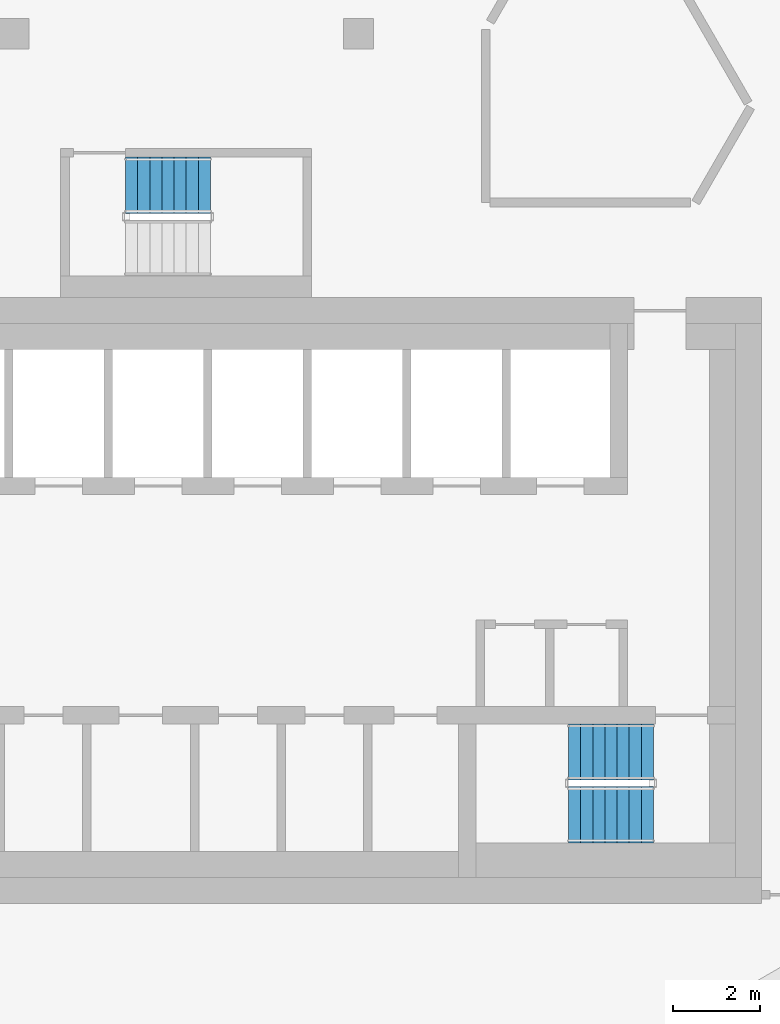
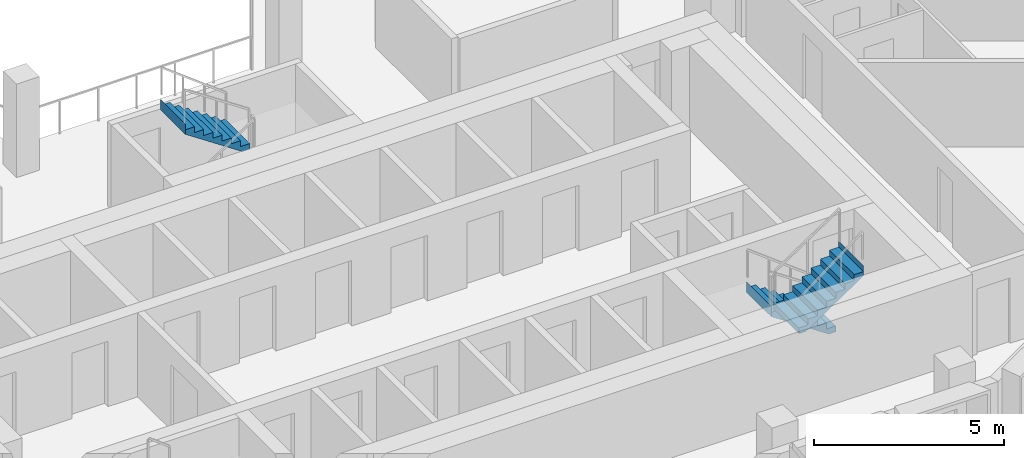
# One storey, part 12 of 17: 3 stair flights, 2 elements without a shape of their own.
"""IFC4 building model written with IfcOpenShell, lengths in metres."""

from ifc_helpers import new_model, si_unit, direction, frame, origin, place, context, subcontext, project, spatial, triangles, material, type_object, element, aggregate, save


model = new_model("IFC4")

# Units and contexts
model_context = context("Model", 3, precision=1e-05, world=origin(), true_north=direction((0.0, 1.0)))
body_context = subcontext(model_context, "Body", "Model", "MODEL_VIEW")
ifc_project = project(units=[si_unit("LENGTHUNIT", "METRE"), si_unit("AREAUNIT", "SQUARE_METRE"), si_unit("VOLUMEUNIT", "CUBIC_METRE"), si_unit("PLANEANGLEUNIT", "RADIAN"), si_unit("MASSUNIT", "GRAM", prefix="KILO")], contexts=[model_context])

# Site, building, storey
site_placement = place(None, origin())
site = spatial("IfcSite", under=ifc_project, at=site_placement, CompositionType="ELEMENT")
building_placement = place(site_placement, origin())
building = spatial("IfcBuilding", under=site, at=building_placement, Name="Beryl Residences", CompositionType="ELEMENT")
storey_placement = place(building_placement, frame((0.0, 0.0, 172.199951171875)))
storey = spatial("IfcBuildingStorey", under=building, at=storey_placement, Name="L52", CompositionType="ELEMENT", Elevation=172.199951171875)

# Stair, stair flights
ifc_material_1 = material(Name="Concrete C40/50", Category="concrete")
stair_type = type_object("IfcStairType", Name="ST1 protected exit stair, half-turn, 1300 mm flights", PredefinedType="HALF_TURN_STAIR", material=ifc_material_1)
stair_1_placement = place(storey_placement, origin())
stair_1 = element("IfcStair", 1, at=stair_1_placement, inside=storey, type_object=stair_type, Name="L52 PROTECTED EXIT STAIR ST-3", PredefinedType="HALF_TURN_STAIR")
ifc_material_2 = material(Name="Concrete C40/50", Category="concrete")
stair_flight_type = type_object("IfcStairFlightType", Name="SF1 stair flight 1300 mm", PredefinedType="STRAIGHT", material=ifc_material_2)
stair_flight_1_placement = place(storey_placement, frame((10.800048828125, -15.5, 0.0), z_axis=(0.0, 0.0, 1.0), x_axis=(-1.0, 0.0, 0.0)))
stair_flight_1 = element("IfcStairFlight", 2, at=stair_flight_1_placement, type_object=stair_flight_type, Name="ST-3 flight 1", NumberOfRisers=8, NumberOfTreads=7, PredefinedType="STRAIGHT", RiserHeight=0.1875, TreadLength=0.28, context=body_context, shape_type="Tessellation", body=[
    triangles([(0.0, -0.64990234375, 0.0), (0.0, -0.324951171875, 0.0), (0.0, 0.0, 0.0), (0.0, 0.324951171875, 0.0), (0.0, 0.64990234375, 0.0), (0.0, -0.64990234375, 0.1875), (0.0, -0.324951171875, 0.1875), (0.0, 0.0, 0.1875), (0.0, 0.324951171875, 0.1875), (0.0, 0.64990234375, 0.1875), (0.280029296875, -0.64990234375, 0.1875), (0.280029296875, -0.324951171875, 0.1875), (0.280029296875, 0.0, 0.1875), (0.280029296875, 0.324951171875, 0.1875), (0.280029296875, 0.64990234375, 0.1875), (0.280029296875, -0.64990234375, 0.375), (0.280029296875, -0.324951171875, 0.375), (0.280029296875, 0.0, 0.375), (0.280029296875, 0.324951171875, 0.375), (0.280029296875, 0.64990234375, 0.375), (0.56005859375, -0.64990234375, 0.375), (0.56005859375, -0.324951171875, 0.375), (0.56005859375, 0.0, 0.375), (0.56005859375, 0.324951171875, 0.375), (0.56005859375, 0.64990234375, 0.375), (0.56005859375, -0.64990234375, 0.5625), (0.56005859375, -0.324951171875, 0.5625), (0.56005859375, 0.0, 0.5625), (0.56005859375, 0.324951171875, 0.5625), (0.56005859375, 0.64990234375, 0.5625), (0.840087890625, -0.64990234375, 0.5625), (0.840087890625, -0.324951171875, 0.5625), (0.840087890625, 0.0, 0.5625), (0.840087890625, 0.324951171875, 0.5625), (0.840087890625, 0.64990234375, 0.5625), (0.840087890625, -0.64990234375, 0.75), (0.840087890625, -0.324951171875, 0.75), (0.840087890625, 0.0, 0.75), (0.840087890625, 0.324951171875, 0.75), (0.840087890625, 0.64990234375, 0.75), (1.1201171875, -0.64990234375, 0.75), (1.1201171875, -0.324951171875, 0.75), (1.1201171875, 0.0, 0.75), (1.1201171875, 0.324951171875, 0.75), (1.1201171875, 0.64990234375, 0.75), (1.1201171875, -0.64990234375, 0.9375), (1.1201171875, -0.324951171875, 0.9375), (1.1201171875, 0.0, 0.9375), (1.1201171875, 0.324951171875, 0.9375), (1.1201171875, 0.64990234375, 0.9375), (1.39990234375, -0.64990234375, 0.9375), (1.39990234375, -0.324951171875, 0.9375), (1.39990234375, 0.0, 0.9375), (1.39990234375, 0.324951171875, 0.9375), (1.39990234375, 0.64990234375, 0.9375), (1.39990234375, -0.64990234375, 1.125), (1.39990234375, -0.324951171875, 1.125), (1.39990234375, 0.0, 1.125), (1.39990234375, 0.324951171875, 1.125), (1.39990234375, 0.64990234375, 1.125), (1.679931640625, -0.64990234375, 1.125), (1.679931640625, -0.324951171875, 1.125), (1.679931640625, 0.0, 1.125), (1.679931640625, 0.324951171875, 1.125), (1.679931640625, 0.64990234375, 1.125), (1.679931640625, -0.64990234375, 1.3125), (1.679931640625, -0.324951171875, 1.3125), (1.679931640625, 0.0, 1.3125), (1.679931640625, 0.324951171875, 1.3125), (1.679931640625, 0.64990234375, 1.3125), (1.9599609375, -0.64990234375, 1.3125), (1.9599609375, -0.324951171875, 1.3125), (1.9599609375, 0.0, 1.3125), (1.9599609375, 0.324951171875, 1.3125), (1.9599609375, 0.64990234375, 1.3125), (1.9599609375, -0.64990234375, 1.5), (1.9599609375, -0.324951171875, 1.5), (1.9599609375, 0.0, 1.5), (1.9599609375, 0.324951171875, 1.5), (1.9599609375, 0.64990234375, 1.5), (1.9609375, -0.64990234375, 1.5), (1.9609375, -0.324951171875, 1.5), (1.9609375, 0.0, 1.5), (1.9609375, 0.324951171875, 1.5), (1.9609375, 0.64990234375, 1.5), (1.9609375, -0.64990234375, 1.16796875), (1.9609375, -0.324951171875, 1.16796875), (1.9609375, 0.0, 1.16796875), (1.9609375, 0.324951171875, 1.16796875), (1.9609375, 0.64990234375, 1.16796875), (0.216796875, -0.64990234375, 0.0), (0.216796875, -0.324951171875, 0.0), (0.216796875, 0.0, 0.0), (0.216796875, 0.324951171875, 0.0), (0.216796875, 0.64990234375, 0.0)], [[1, 6, 7], [1, 7, 2], [2, 7, 8], [2, 8, 3], [3, 8, 9], [3, 9, 4], [4, 9, 10], [4, 10, 5], [6, 11, 12], [6, 12, 7], [7, 12, 13], [7, 13, 8], [8, 13, 14], [8, 14, 9], [9, 14, 15], [9, 15, 10], [11, 16, 17], [11, 17, 12], [12, 17, 18], [12, 18, 13], [13, 18, 19], [13, 19, 14], [14, 19, 20], [14, 20, 15], [16, 21, 22], [16, 22, 17], [17, 22, 23], [17, 23, 18], [18, 23, 24], [18, 24, 19], [19, 24, 25], [19, 25, 20], [21, 26, 27], [21, 27, 22], [22, 27, 28], [22, 28, 23], [23, 28, 29], [23, 29, 24], [24, 29, 30], [24, 30, 25], [26, 31, 32], [26, 32, 27], [27, 32, 33], [27, 33, 28], [28, 33, 34], [28, 34, 29], [29, 34, 35], [29, 35, 30], [31, 36, 37], [31, 37, 32], [32, 37, 38], [32, 38, 33], [33, 38, 39], [33, 39, 34], [34, 39, 40], [34, 40, 35], [36, 41, 42], [36, 42, 37], [37, 42, 43], [37, 43, 38], [38, 43, 44], [38, 44, 39], [39, 44, 45], [39, 45, 40], [41, 46, 47], [41, 47, 42], [42, 47, 48], [42, 48, 43], [43, 48, 49], [43, 49, 44], [44, 49, 50], [44, 50, 45], [46, 51, 52], [46, 52, 47], [47, 52, 53], [47, 53, 48], [48, 53, 54], [48, 54, 49], [49, 54, 55], [49, 55, 50], [51, 56, 57], [51, 57, 52], [52, 57, 58], [52, 58, 53], [53, 58, 59], [53, 59, 54], [54, 59, 60], [54, 60, 55], [56, 61, 62], [56, 62, 57], [57, 62, 63], [57, 63, 58], [58, 63, 64], [58, 64, 59], [59, 64, 65], [59, 65, 60], [61, 66, 67], [61, 67, 62], [62, 67, 68], [62, 68, 63], [63, 68, 69], [63, 69, 64], [64, 69, 70], [64, 70, 65], [66, 71, 72], [66, 72, 67], [67, 72, 73], [67, 73, 68], [68, 73, 74], [68, 74, 69], [69, 74, 75], [69, 75, 70], [71, 76, 77], [71, 77, 72], [72, 77, 78], [72, 78, 73], [73, 78, 79], [73, 79, 74], [74, 79, 80], [74, 80, 75], [76, 81, 82], [76, 82, 77], [77, 82, 83], [77, 83, 78], [78, 83, 84], [78, 84, 79], [79, 84, 85], [79, 85, 80], [81, 86, 87], [81, 87, 82], [82, 87, 88], [82, 88, 83], [83, 88, 89], [83, 89, 84], [84, 89, 90], [84, 90, 85], [86, 91, 92], [86, 92, 87], [87, 92, 93], [87, 93, 88], [88, 93, 94], [88, 94, 89], [89, 94, 95], [89, 95, 90], [91, 1, 2], [91, 2, 92], [92, 2, 3], [92, 3, 93], [93, 3, 4], [93, 4, 94], [94, 4, 5], [94, 5, 95], [1, 91, 86], [5, 90, 95], [86, 81, 76], [90, 80, 85], [86, 76, 71], [90, 75, 80], [86, 71, 66], [90, 70, 75], [86, 66, 61], [90, 65, 70], [61, 56, 51], [65, 55, 60], [86, 61, 51], [90, 55, 65], [51, 46, 41], [55, 45, 50], [86, 51, 41], [90, 45, 55], [41, 36, 31], [45, 35, 40], [86, 41, 31], [90, 35, 45], [31, 26, 21], [35, 25, 30], [86, 31, 21], [90, 25, 35], [21, 16, 11], [25, 15, 20], [86, 21, 11], [90, 15, 25], [1, 86, 11], [5, 15, 90], [11, 6, 1], [15, 5, 10]], closed=True),
])
stair_flight_2_placement = place(storey_placement, frame((8.840087890625, -16.949951171875, 1.5), z_axis=(0.0, 0.0, 1.0), x_axis=(1.0, 0.0, 0.0)))
stair_flight_2 = element("IfcStairFlight", 3, at=stair_flight_2_placement, type_object=stair_flight_type, Name="ST-3 flight 2", NumberOfRisers=8, NumberOfTreads=7, PredefinedType="STRAIGHT", RiserHeight=0.1875, TreadLength=0.28, context=body_context, shape_type="Tessellation", body=[
    triangles([(0.0, -0.64990234375, 0.0), (0.0, -0.324951171875, 0.0), (0.0, 0.0, 0.0), (0.0, 0.324951171875, 0.0), (0.0, 0.64990234375, 0.0), (0.0, -0.64990234375, 0.1875), (0.0, -0.324951171875, 0.1875), (0.0, 0.0, 0.1875), (0.0, 0.324951171875, 0.1875), (0.0, 0.64990234375, 0.1875), (0.280029296875, -0.64990234375, 0.1875), (0.280029296875, -0.324951171875, 0.1875), (0.280029296875, 0.0, 0.1875), (0.280029296875, 0.324951171875, 0.1875), (0.280029296875, 0.64990234375, 0.1875), (0.280029296875, -0.64990234375, 0.375), (0.280029296875, -0.324951171875, 0.375), (0.280029296875, 0.0, 0.375), (0.280029296875, 0.324951171875, 0.375), (0.280029296875, 0.64990234375, 0.375), (0.56005859375, -0.64990234375, 0.375), (0.56005859375, -0.324951171875, 0.375), (0.56005859375, 0.0, 0.375), (0.56005859375, 0.324951171875, 0.375), (0.56005859375, 0.64990234375, 0.375), (0.56005859375, -0.64990234375, 0.5625), (0.56005859375, -0.324951171875, 0.5625), (0.56005859375, 0.0, 0.5625), (0.56005859375, 0.324951171875, 0.5625), (0.56005859375, 0.64990234375, 0.5625), (0.840087890625, -0.64990234375, 0.5625), (0.840087890625, -0.324951171875, 0.5625), (0.840087890625, 0.0, 0.5625), (0.840087890625, 0.324951171875, 0.5625), (0.840087890625, 0.64990234375, 0.5625), (0.840087890625, -0.64990234375, 0.75), (0.840087890625, -0.324951171875, 0.75), (0.840087890625, 0.0, 0.75), (0.840087890625, 0.324951171875, 0.75), (0.840087890625, 0.64990234375, 0.75), (1.1201171875, -0.64990234375, 0.75), (1.1201171875, -0.324951171875, 0.75), (1.1201171875, 0.0, 0.75), (1.1201171875, 0.324951171875, 0.75), (1.1201171875, 0.64990234375, 0.75), (1.1201171875, -0.64990234375, 0.9375), (1.1201171875, -0.324951171875, 0.9375), (1.1201171875, 0.0, 0.9375), (1.1201171875, 0.324951171875, 0.9375), (1.1201171875, 0.64990234375, 0.9375), (1.39990234375, -0.64990234375, 0.9375), (1.39990234375, -0.324951171875, 0.9375), (1.39990234375, 0.0, 0.9375), (1.39990234375, 0.324951171875, 0.9375), (1.39990234375, 0.64990234375, 0.9375), (1.39990234375, -0.64990234375, 1.125), (1.39990234375, -0.324951171875, 1.125), (1.39990234375, 0.0, 1.125), (1.39990234375, 0.324951171875, 1.125), (1.39990234375, 0.64990234375, 1.125), (1.679931640625, -0.64990234375, 1.125), (1.679931640625, -0.324951171875, 1.125), (1.679931640625, 0.0, 1.125), (1.679931640625, 0.324951171875, 1.125), (1.679931640625, 0.64990234375, 1.125), (1.679931640625, -0.64990234375, 1.3125), (1.679931640625, -0.324951171875, 1.3125), (1.679931640625, 0.0, 1.3125), (1.679931640625, 0.324951171875, 1.3125), (1.679931640625, 0.64990234375, 1.3125), (1.9599609375, -0.64990234375, 1.3125), (1.9599609375, -0.324951171875, 1.3125), (1.9599609375, 0.0, 1.3125), (1.9599609375, 0.324951171875, 1.3125), (1.9599609375, 0.64990234375, 1.3125), (1.9599609375, -0.64990234375, 1.5), (1.9599609375, -0.324951171875, 1.5), (1.9599609375, 0.0, 1.5), (1.9599609375, 0.324951171875, 1.5), (1.9599609375, 0.64990234375, 1.5), (1.9609375, -0.64990234375, 1.5), (1.9609375, -0.324951171875, 1.5), (1.9609375, 0.0, 1.5), (1.9609375, 0.324951171875, 1.5), (1.9609375, 0.64990234375, 1.5), (1.9609375, -0.64990234375, 1.16796875), (1.9609375, -0.324951171875, 1.16796875), (1.9609375, 0.0, 1.16796875), (1.9609375, 0.324951171875, 1.16796875), (1.9609375, 0.64990234375, 1.16796875), (0.216796875, -0.64990234375, 0.0), (0.216796875, -0.324951171875, 0.0), (0.216796875, 0.0, 0.0), (0.216796875, 0.324951171875, 0.0), (0.216796875, 0.64990234375, 0.0)], [[1, 6, 7], [1, 7, 2], [2, 7, 8], [2, 8, 3], [3, 8, 9], [3, 9, 4], [4, 9, 10], [4, 10, 5], [6, 11, 12], [6, 12, 7], [7, 12, 13], [7, 13, 8], [8, 13, 14], [8, 14, 9], [9, 14, 15], [9, 15, 10], [11, 16, 17], [11, 17, 12], [12, 17, 18], [12, 18, 13], [13, 18, 19], [13, 19, 14], [14, 19, 20], [14, 20, 15], [16, 21, 22], [16, 22, 17], [17, 22, 23], [17, 23, 18], [18, 23, 24], [18, 24, 19], [19, 24, 25], [19, 25, 20], [21, 26, 27], [21, 27, 22], [22, 27, 28], [22, 28, 23], [23, 28, 29], [23, 29, 24], [24, 29, 30], [24, 30, 25], [26, 31, 32], [26, 32, 27], [27, 32, 33], [27, 33, 28], [28, 33, 34], [28, 34, 29], [29, 34, 35], [29, 35, 30], [31, 36, 37], [31, 37, 32], [32, 37, 38], [32, 38, 33], [33, 38, 39], [33, 39, 34], [34, 39, 40], [34, 40, 35], [36, 41, 42], [36, 42, 37], [37, 42, 43], [37, 43, 38], [38, 43, 44], [38, 44, 39], [39, 44, 45], [39, 45, 40], [41, 46, 47], [41, 47, 42], [42, 47, 48], [42, 48, 43], [43, 48, 49], [43, 49, 44], [44, 49, 50], [44, 50, 45], [46, 51, 52], [46, 52, 47], [47, 52, 53], [47, 53, 48], [48, 53, 54], [48, 54, 49], [49, 54, 55], [49, 55, 50], [51, 56, 57], [51, 57, 52], [52, 57, 58], [52, 58, 53], [53, 58, 59], [53, 59, 54], [54, 59, 60], [54, 60, 55], [56, 61, 62], [56, 62, 57], [57, 62, 63], [57, 63, 58], [58, 63, 64], [58, 64, 59], [59, 64, 65], [59, 65, 60], [61, 66, 67], [61, 67, 62], [62, 67, 68], [62, 68, 63], [63, 68, 69], [63, 69, 64], [64, 69, 70], [64, 70, 65], [66, 71, 72], [66, 72, 67], [67, 72, 73], [67, 73, 68], [68, 73, 74], [68, 74, 69], [69, 74, 75], [69, 75, 70], [71, 76, 77], [71, 77, 72], [72, 77, 78], [72, 78, 73], [73, 78, 79], [73, 79, 74], [74, 79, 80], [74, 80, 75], [76, 81, 82], [76, 82, 77], [77, 82, 83], [77, 83, 78], [78, 83, 84], [78, 84, 79], [79, 84, 85], [79, 85, 80], [81, 86, 87], [81, 87, 82], [82, 87, 88], [82, 88, 83], [83, 88, 89], [83, 89, 84], [84, 89, 90], [84, 90, 85], [86, 91, 92], [86, 92, 87], [87, 92, 93], [87, 93, 88], [88, 93, 94], [88, 94, 89], [89, 94, 95], [89, 95, 90], [91, 1, 2], [91, 2, 92], [92, 2, 3], [92, 3, 93], [93, 3, 4], [93, 4, 94], [94, 4, 5], [94, 5, 95], [1, 91, 86], [5, 90, 95], [86, 81, 76], [90, 80, 85], [86, 76, 71], [90, 75, 80], [86, 71, 66], [90, 70, 75], [86, 66, 61], [90, 65, 70], [61, 56, 51], [65, 55, 60], [86, 61, 51], [90, 55, 65], [51, 46, 41], [55, 45, 50], [86, 51, 41], [90, 45, 55], [41, 36, 31], [45, 35, 40], [86, 41, 31], [90, 35, 45], [31, 26, 21], [35, 25, 30], [86, 31, 21], [90, 25, 35], [21, 16, 11], [25, 15, 20], [86, 21, 11], [90, 15, 25], [1, 86, 11], [5, 15, 90], [11, 6, 1], [15, 5, 10]], closed=True),
])
aggregate(stair_1, [stair_flight_1, stair_flight_2])

# Stair, stair flight
stair_2_placement = place(storey_placement, origin())
stair_2 = element("IfcStair", 4, at=stair_2_placement, inside=storey, type_object=stair_type, Name="L52 PROTECTED EXIT STAIR ST-4", PredefinedType="HALF_TURN_STAIR")
stair_flight_3_placement = place(storey_placement, frame((0.56005859375, -2.39990234375, 1.5), z_axis=(0.0, 0.0, 1.0), x_axis=(-1.0, 0.0, 0.0)))
stair_flight_3 = element("IfcStairFlight", 5, at=stair_flight_3_placement, type_object=stair_flight_type, Name="ST-4 flight 2", NumberOfRisers=8, NumberOfTreads=7, PredefinedType="STRAIGHT", RiserHeight=0.1875, TreadLength=0.28, context=body_context, shape_type="Tessellation", body=[
    triangles([(0.0, -0.64990234375, 0.0), (0.0, -0.324951171875, 0.0), (0.0, 0.0, 0.0), (0.0, 0.324951171875, 0.0), (0.0, 0.64990234375, 0.0), (0.0, -0.64990234375, 0.1875), (0.0, -0.324951171875, 0.1875), (0.0, 0.0, 0.1875), (0.0, 0.324951171875, 0.1875), (0.0, 0.64990234375, 0.1875), (0.280029296875, -0.64990234375, 0.1875), (0.280029296875, -0.324951171875, 0.1875), (0.280029296875, 0.0, 0.1875), (0.280029296875, 0.324951171875, 0.1875), (0.280029296875, 0.64990234375, 0.1875), (0.280029296875, -0.64990234375, 0.375), (0.280029296875, -0.324951171875, 0.375), (0.280029296875, 0.0, 0.375), (0.280029296875, 0.324951171875, 0.375), (0.280029296875, 0.64990234375, 0.375), (0.56005859375, -0.64990234375, 0.375), (0.56005859375, -0.324951171875, 0.375), (0.56005859375, 0.0, 0.375), (0.56005859375, 0.324951171875, 0.375), (0.56005859375, 0.64990234375, 0.375), (0.56005859375, -0.64990234375, 0.5625), (0.56005859375, -0.324951171875, 0.5625), (0.56005859375, 0.0, 0.5625), (0.56005859375, 0.324951171875, 0.5625), (0.56005859375, 0.64990234375, 0.5625), (0.840087890625, -0.64990234375, 0.5625), (0.840087890625, -0.324951171875, 0.5625), (0.840087890625, 0.0, 0.5625), (0.840087890625, 0.324951171875, 0.5625), (0.840087890625, 0.64990234375, 0.5625), (0.840087890625, -0.64990234375, 0.75), (0.840087890625, -0.324951171875, 0.75), (0.840087890625, 0.0, 0.75), (0.840087890625, 0.324951171875, 0.75), (0.840087890625, 0.64990234375, 0.75), (1.1201171875, -0.64990234375, 0.75), (1.1201171875, -0.324951171875, 0.75), (1.1201171875, 0.0, 0.75), (1.1201171875, 0.324951171875, 0.75), (1.1201171875, 0.64990234375, 0.75), (1.1201171875, -0.64990234375, 0.9375), (1.1201171875, -0.324951171875, 0.9375), (1.1201171875, 0.0, 0.9375), (1.1201171875, 0.324951171875, 0.9375), (1.1201171875, 0.64990234375, 0.9375), (1.39990234375, -0.64990234375, 0.9375), (1.39990234375, -0.324951171875, 0.9375), (1.39990234375, 0.0, 0.9375), (1.39990234375, 0.324951171875, 0.9375), (1.39990234375, 0.64990234375, 0.9375), (1.39990234375, -0.64990234375, 1.125), (1.39990234375, -0.324951171875, 1.125), (1.39990234375, 0.0, 1.125), (1.39990234375, 0.324951171875, 1.125), (1.39990234375, 0.64990234375, 1.125), (1.679931640625, -0.64990234375, 1.125), (1.679931640625, -0.324951171875, 1.125), (1.679931640625, 0.0, 1.125), (1.679931640625, 0.324951171875, 1.125), (1.679931640625, 0.64990234375, 1.125), (1.679931640625, -0.64990234375, 1.3125), (1.679931640625, -0.324951171875, 1.3125), (1.679931640625, 0.0, 1.3125), (1.679931640625, 0.324951171875, 1.3125), (1.679931640625, 0.64990234375, 1.3125), (1.9599609375, -0.64990234375, 1.3125), (1.9599609375, -0.324951171875, 1.3125), (1.9599609375, 0.0, 1.3125), (1.9599609375, 0.324951171875, 1.3125), (1.9599609375, 0.64990234375, 1.3125), (1.9599609375, -0.64990234375, 1.5), (1.9599609375, -0.324951171875, 1.5), (1.9599609375, 0.0, 1.5), (1.9599609375, 0.324951171875, 1.5), (1.9599609375, 0.64990234375, 1.5), (1.9609375, -0.64990234375, 1.5), (1.9609375, -0.324951171875, 1.5), (1.9609375, 0.0, 1.5), (1.9609375, 0.324951171875, 1.5), (1.9609375, 0.64990234375, 1.5), (1.9609375, -0.64990234375, 1.16796875), (1.9609375, -0.324951171875, 1.16796875), (1.9609375, 0.0, 1.16796875), (1.9609375, 0.324951171875, 1.16796875), (1.9609375, 0.64990234375, 1.16796875), (0.216796875, -0.64990234375, 0.0), (0.216796875, -0.324951171875, 0.0), (0.216796875, 0.0, 0.0), (0.216796875, 0.324951171875, 0.0), (0.216796875, 0.64990234375, 0.0)], [[1, 6, 7], [1, 7, 2], [2, 7, 8], [2, 8, 3], [3, 8, 9], [3, 9, 4], [4, 9, 10], [4, 10, 5], [6, 11, 12], [6, 12, 7], [7, 12, 13], [7, 13, 8], [8, 13, 14], [8, 14, 9], [9, 14, 15], [9, 15, 10], [11, 16, 17], [11, 17, 12], [12, 17, 18], [12, 18, 13], [13, 18, 19], [13, 19, 14], [14, 19, 20], [14, 20, 15], [16, 21, 22], [16, 22, 17], [17, 22, 23], [17, 23, 18], [18, 23, 24], [18, 24, 19], [19, 24, 25], [19, 25, 20], [21, 26, 27], [21, 27, 22], [22, 27, 28], [22, 28, 23], [23, 28, 29], [23, 29, 24], [24, 29, 30], [24, 30, 25], [26, 31, 32], [26, 32, 27], [27, 32, 33], [27, 33, 28], [28, 33, 34], [28, 34, 29], [29, 34, 35], [29, 35, 30], [31, 36, 37], [31, 37, 32], [32, 37, 38], [32, 38, 33], [33, 38, 39], [33, 39, 34], [34, 39, 40], [34, 40, 35], [36, 41, 42], [36, 42, 37], [37, 42, 43], [37, 43, 38], [38, 43, 44], [38, 44, 39], [39, 44, 45], [39, 45, 40], [41, 46, 47], [41, 47, 42], [42, 47, 48], [42, 48, 43], [43, 48, 49], [43, 49, 44], [44, 49, 50], [44, 50, 45], [46, 51, 52], [46, 52, 47], [47, 52, 53], [47, 53, 48], [48, 53, 54], [48, 54, 49], [49, 54, 55], [49, 55, 50], [51, 56, 57], [51, 57, 52], [52, 57, 58], [52, 58, 53], [53, 58, 59], [53, 59, 54], [54, 59, 60], [54, 60, 55], [56, 61, 62], [56, 62, 57], [57, 62, 63], [57, 63, 58], [58, 63, 64], [58, 64, 59], [59, 64, 65], [59, 65, 60], [61, 66, 67], [61, 67, 62], [62, 67, 68], [62, 68, 63], [63, 68, 69], [63, 69, 64], [64, 69, 70], [64, 70, 65], [66, 71, 72], [66, 72, 67], [67, 72, 73], [67, 73, 68], [68, 73, 74], [68, 74, 69], [69, 74, 75], [69, 75, 70], [71, 76, 77], [71, 77, 72], [72, 77, 78], [72, 78, 73], [73, 78, 79], [73, 79, 74], [74, 79, 80], [74, 80, 75], [76, 81, 82], [76, 82, 77], [77, 82, 83], [77, 83, 78], [78, 83, 84], [78, 84, 79], [79, 84, 85], [79, 85, 80], [81, 86, 87], [81, 87, 82], [82, 87, 88], [82, 88, 83], [83, 88, 89], [83, 89, 84], [84, 89, 90], [84, 90, 85], [86, 91, 92], [86, 92, 87], [87, 92, 93], [87, 93, 88], [88, 93, 94], [88, 94, 89], [89, 94, 95], [89, 95, 90], [91, 1, 2], [91, 2, 92], [92, 2, 3], [92, 3, 93], [93, 3, 4], [93, 4, 94], [94, 4, 5], [94, 5, 95], [1, 91, 86], [5, 90, 95], [86, 81, 76], [90, 80, 85], [86, 76, 71], [90, 75, 80], [86, 71, 66], [90, 70, 75], [86, 66, 61], [90, 65, 70], [61, 56, 51], [65, 55, 60], [86, 61, 51], [90, 55, 65], [51, 46, 41], [55, 45, 50], [86, 51, 41], [90, 45, 55], [41, 36, 31], [45, 35, 40], [86, 41, 31], [90, 35, 45], [31, 26, 21], [35, 25, 30], [86, 31, 21], [90, 25, 35], [21, 16, 11], [25, 15, 20], [86, 21, 11], [90, 15, 25], [1, 86, 11], [5, 15, 90], [11, 6, 1], [15, 5, 10]], closed=True),
])
aggregate(stair_2, [stair_flight_3])

save(model, "model.ifc")
